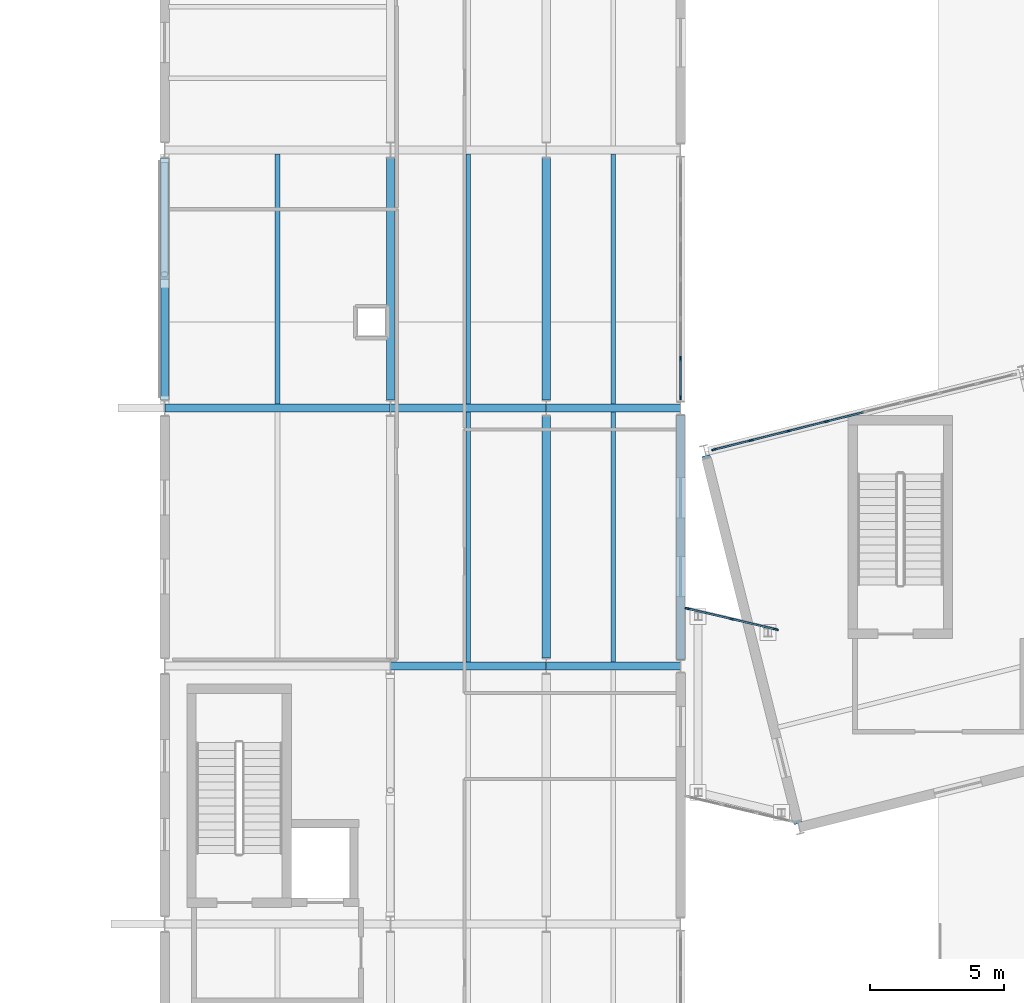
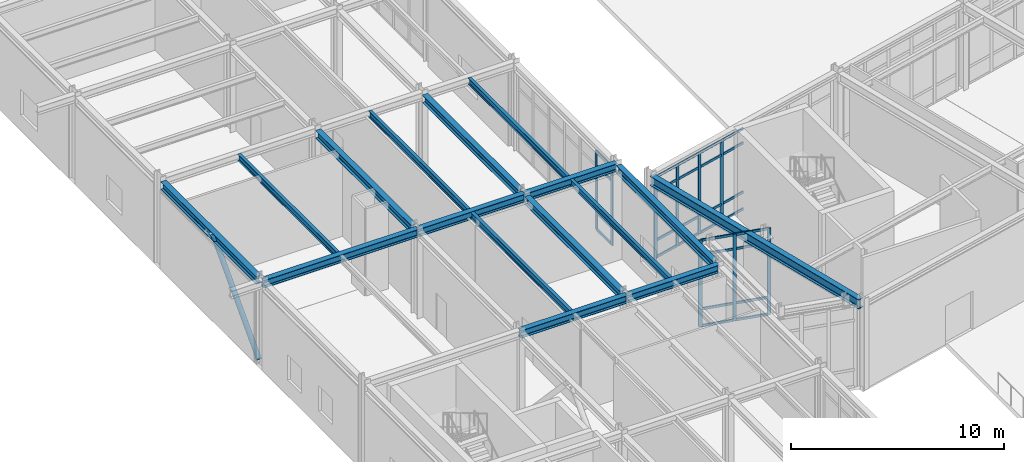
# One storey, part 24 of 109: 38 members, 16 beams, 3 elements without a shape of their own.
"""IFC4 building model written with IfcOpenShell, lengths in metres."""

import ifcopenshell
import ifcopenshell.guid

model = None  # the IFC model being written
_history = None  # IfcOwnerHistory: only IFC2X3 demands one
_inside = {}  # id of a spatial element -> (the spatial element, [elements in it])
_under = {}  # id of a project, library or spatial element -> (it, [spatial elements below it])
_declared = {}  # id of a project -> (the project, [libraries it declares])
_typed = {}  # id of a type object -> (the type object, [elements of that type])
_made_of = {}  # id of a material, layer set ... -> (it, [elements and type objects made of it])


def new_model(schema):
    """Start an empty IFC model of exactly this schema.

    Asked for "IFC4X3", IfcOpenShell would pick the latest addendum, in which some entities
    have other attributes; the version numbers below select the first issue.
    IFC2X3 requires an IfcOwnerHistory on every rooted entity: one is made here for all.
    """
    global model, _history
    if schema == "IFC4X3":
        model = ifcopenshell.file(schema_version=(4, 3, 0, 0))
    else:
        model = ifcopenshell.file(schema=schema)
    _inside.clear()
    _under.clear()
    _declared.clear()
    _typed.clear()
    _made_of.clear()
    _history = None
    if model.schema == "IFC2X3":
        org = make("IfcOrganization", Name="unknown")
        user = make(
            "IfcPersonAndOrganization",
            ThePerson=make("IfcPerson", FamilyName="unknown"),
            TheOrganization=org,
        )
        app = make(
            "IfcApplication",
            ApplicationDeveloper=org,
            Version="unknown",
            ApplicationFullName="unknown",
            ApplicationIdentifier="unknown",
        )
        _history = make(
            "IfcOwnerHistory",
            OwningUser=user,
            OwningApplication=app,
            ChangeAction="ADDED",
            CreationDate=0,
        )
    return model


def make(cls, **values):
    """One entity of the class cls with the attributes given. An attribute that is None is left unset."""
    return model.create_entity(
        cls, **{name: value for name, value in values.items() if value is not None}
    )


def rooted(cls, **values):
    """An entity with a GlobalId (a new one), such as an element, a storey or a relation."""
    return make(cls, GlobalId=ifcopenshell.guid.new(), OwnerHistory=_history, **values)


def si_unit(unit_type, name, prefix=None):
    """IfcSIUnit, for example si_unit("LENGTHUNIT", "METRE", prefix="MILLI")."""
    return make("IfcSIUnit", UnitType=unit_type, Prefix=prefix, Name=name)


def assignment(units):
    """IfcUnitAssignment: the units of a project."""
    return None if units is None else make("IfcUnitAssignment", Units=units)


def point(xyz):
    """IfcCartesianPoint."""
    return None if xyz is None else make("IfcCartesianPoint", Coordinates=xyz)


def direction(xyz):
    """IfcDirection."""
    return None if xyz is None else make("IfcDirection", DirectionRatios=xyz)


def frame(location, z_axis=None, x_axis=None):
    """IfcAxis2Placement3D, a coordinate frame: its origin and axes. An axis left out is left unset."""
    return make(
        "IfcAxis2Placement3D",
        Location=point(location),
        Axis=direction(z_axis),
        RefDirection=direction(x_axis),
    )


def frame_2d(location, x_axis=None):
    """IfcAxis2Placement2D, a coordinate frame in the plane: its origin and x axis."""
    return make(
        "IfcAxis2Placement2D", Location=point(location), RefDirection=direction(x_axis)
    )


def origin():
    """The frame at (0, 0, 0) with its axes left unset."""
    return frame((0.0, 0.0, 0.0))


def origin_2d():
    """The frame at (0, 0) in the plane with its x axis left unset."""
    return frame_2d((0.0, 0.0))


def place(relative_to, where):
    """IfcLocalPlacement: puts the frame where relative to a parent placement (None: the world)."""
    return make(
        "IfcLocalPlacement", PlacementRelTo=relative_to, RelativePlacement=where
    )


def context(
    kind, dimensions, precision=None, world=None, true_north=None, identifier=None
):
    """IfcGeometricRepresentationContext, for example the 3D "Model" context."""
    return make(
        "IfcGeometricRepresentationContext",
        ContextIdentifier=identifier,
        ContextType=kind,
        CoordinateSpaceDimension=dimensions,
        Precision=precision,
        WorldCoordinateSystem=world,
        TrueNorth=true_north,
    )


def subcontext(parent, identifier, kind, view, scale=None):
    """IfcGeometricRepresentationSubContext, for example "Body" below "Model"."""
    return make(
        "IfcGeometricRepresentationSubContext",
        ContextIdentifier=identifier,
        ContextType=kind,
        ParentContext=parent,
        TargetScale=scale,
        TargetView=view,
    )


def project(units=None, contexts=None):
    """IfcProject with its units and contexts."""
    return rooted(
        "IfcProject",
        Name="project",
        RepresentationContexts=contexts,
        UnitsInContext=assignment(units),
    )


def spatial(cls, under=None, at=None, **own):
    """A site, building, storey or space (cls), placed at a placement, below another one or the project."""
    s = rooted(cls, ObjectPlacement=at, **own)
    if under is not None:
        _under.setdefault(under.id(), (under, []))[1].append(s)
    return s


def profile(cls, at=None, kind="AREA", **sizes):
    """A parametric profile (cls). Its sizes go by their IFC names, for example OverallWidth=200.0."""
    return make(cls, ProfileType=kind, Position=at, **sizes)


def rectangle(**sizes):
    """IfcRectangleProfileDef."""
    return profile("IfcRectangleProfileDef", **sizes)


def hollow_circle(**sizes):
    """IfcCircleHollowProfileDef."""
    return profile("IfcCircleHollowProfileDef", **sizes)


def i_section(**sizes):
    """IfcIShapeProfileDef."""
    return profile("IfcIShapeProfileDef", **sizes)


def extrude(swept, where, along, depth):
    """IfcExtrudedAreaSolid: the profile swept, set in the frame where, extruded along a direction by depth."""
    return make(
        "IfcExtrudedAreaSolid",
        SweptArea=swept,
        Position=where,
        ExtrudedDirection=direction(along),
        Depth=depth,
    )


def shape(context_of_items, identifier, shape_type, items):
    """IfcShapeRepresentation: the items that make up one representation, for example the "Body"."""
    return make(
        "IfcShapeRepresentation",
        ContextOfItems=context_of_items,
        RepresentationIdentifier=identifier,
        RepresentationType=shape_type,
        Items=items,
    )


def material(Name=None, Category=None):
    """IfcMaterial."""
    return make("IfcMaterial", Name=Name, Category=Category)


def layer(
    of_material, thickness, ventilated=None, Name=None, Category=None, Priority=None
):
    """IfcMaterialLayer: one layer of a wall or slab, of a material (None: an air gap)."""
    return make(
        "IfcMaterialLayer",
        Material=of_material,
        LayerThickness=thickness,
        IsVentilated=ventilated,
        Name=Name,
        Category=Category,
        Priority=Priority,
    )


def layer_set(layers, Name=None):
    """IfcMaterialLayerSet."""
    return make("IfcMaterialLayerSet", MaterialLayers=layers, LayerSetName=Name)


def material_profile(
    of_material, cross_section, Name=None, Category=None, Priority=None
):
    """IfcMaterialProfile: a cross section and its material."""
    return make(
        "IfcMaterialProfile",
        Name=Name,
        Material=of_material,
        Profile=cross_section,
        Priority=Priority,
        Category=Category,
    )


def profile_set(profiles, Name=None, composite=None):
    """IfcMaterialProfileSet."""
    return make(
        "IfcMaterialProfileSet",
        Name=Name,
        MaterialProfiles=profiles,
        CompositeProfile=composite,
    )


def made_of(thing, what):
    """Note that an element or type object is made of a material, layer set ...; save() writes the relation."""
    if what is not None:
        _made_of.setdefault(what.id(), (what, []))[1].append(thing)
    return thing


def type_object(cls, material=None, **own):
    """A type object (cls), such as IfcWallType, which elements share."""
    return made_of(rooted(cls, **own), material)


def element(
    cls,
    number,
    at=None,
    inside=None,
    cuts=None,
    type_object=None,
    material=None,
    context=None,
    identifier="Body",
    shape_type=None,
    held_by="IfcProductDefinitionShape",
    body=None,
    shapes=None,
    **own,
):
    """One element of the class cls, such as IfcWall. Its Tag is "e" and its number.

    at: its placement. inside: the storey or other place that contains it. cuts: it is an
    opening in that element (IfcRelVoidsElement). A single representation is given by context,
    identifier, shape_type and body (its items); several are given by shapes. held_by: the class
    of the entity that holds the representations. save() writes the other relations.
    """
    e = rooted(cls, Tag="e%d" % number, ObjectPlacement=at, **own)
    if body is not None:
        shapes = [shape(context, identifier, shape_type, body)]
    if shapes is not None:
        e.Representation = make(held_by, Representations=shapes)
    if inside is not None:
        _inside.setdefault(inside.id(), (inside, []))[1].append(e)
    if cuts is not None:
        rooted(
            "IfcRelVoidsElement", RelatingBuildingElement=cuts, RelatedOpeningElement=e
        )
    if type_object is not None:
        _typed.setdefault(type_object.id(), (type_object, []))[1].append(e)
    return made_of(e, material)


def aggregate(whole, parts):
    """IfcRelAggregates: a whole, such as a stair, and the parts it consists of."""
    return rooted("IfcRelAggregates", RelatingObject=whole, RelatedObjects=parts)


def save(model, path):
    """Write the relations noted so far, then the file.

    IfcRelAggregates (storeys below a building ...), IfcRelContainedInSpatialStructure (elements
    in a storey), IfcRelDefinesByType, IfcRelAssociatesMaterial and IfcRelDeclares: one each for
    every whole, place, type object, material and project.
    """
    for whole, parts in _under.values():
        aggregate(whole, parts)
    for where, things in _inside.values():
        rooted(
            "IfcRelContainedInSpatialStructure",
            RelatedElements=things,
            RelatingStructure=where,
        )
    for kind, things in _typed.values():
        rooted("IfcRelDefinesByType", RelatedObjects=things, RelatingType=kind)
    for what, things in _made_of.values():
        rooted("IfcRelAssociatesMaterial", RelatedObjects=things, RelatingMaterial=what)
    for by, libraries in _declared.values():
        rooted("IfcRelDeclares", RelatingContext=by, RelatedDefinitions=libraries)
    model.write(path)


model = new_model("IFC4")

# Units and contexts
model_context = context("Model", 3, precision=1e-05, world=origin(), true_north=direction((0.0, 1.0)))
body_context = subcontext(model_context, "Body", "Model", "MODEL_VIEW")
ifc_project = project(units=[si_unit("LENGTHUNIT", "METRE"), si_unit("AREAUNIT", "SQUARE_METRE"), si_unit("VOLUMEUNIT", "CUBIC_METRE"), si_unit("PLANEANGLEUNIT", "RADIAN"), si_unit("MASSUNIT", "GRAM", prefix="KILO")], contexts=[model_context])

# Site, building, storey
site_placement = place(None, origin())
site = spatial("IfcSite", under=ifc_project, at=site_placement, CompositionType="ELEMENT")
building_placement = place(site_placement, origin())
building = spatial("IfcBuilding", under=site, at=building_placement, Name="Nordkorset Police Headquarters", CompositionType="ELEMENT")
storey_placement = place(building_placement, origin())
storey = spatial("IfcBuildingStorey", under=building, at=storey_placement, Name="L00", CompositionType="ELEMENT", Elevation=0.0)

# Beams
ifc_material_1 = material(Name="Steel S355J2", Category="steel")
ifc_material_profile_1 = material_profile(ifc_material_1, i_section(OverallWidth=0.169921875, OverallDepth=0.360107421875, WebThickness=0.008056640625, FlangeThickness=0.0126953125, FilletRadius=0.01806640625, at=origin_2d()), Name="IPE 360")
ifc_profile_set_1 = profile_set([ifc_material_profile_1], Name="Steel S355J2")
beam_type_1 = type_object("IfcBeamType", Name="Beam_IPE_360", PredefinedType="BEAM", material=ifc_profile_set_1)
for number, where, z_axis, x_axis, name in (
    (1, (4.199951171875, 57.75, 4.820068359375), (0.0, 1.0, 0.0), (-1.0, 0.0, 0.0), "Composite Floor Beam V3 L00 0-3-1"),
    (2, (11.300048828125, 48.14990234375, 4.820068359375), (0.0, 1.0, 0.0), (-1.0, 0.0, 0.0), "Composite Floor Beam V3 L00 1-2-1"),
    (3, (11.300048828125, 57.75, 4.820068359375), (0.0, 1.0, 0.0), (-1.0, 0.0, 0.0), "Composite Floor Beam V3 L00 1-3-1"),
    (4, (16.699951171875, 48.14990234375, 4.820068359375), (0.0, 1.0, 0.0), (-1.0, 0.0, 0.0), "Composite Floor Beam V3 L00 2-2-1"),
    (5, (16.699951171875, 57.75, 4.820068359375), (0.0, 1.0, 0.0), (-1.0, 0.0, 0.0), "Composite Floor Beam V3 L00 2-3-1"),
):
    element("IfcBeam", number, at=place(storey_placement, frame(where, z_axis=z_axis, x_axis=x_axis)), inside=storey, type_object=beam_type_1, Name=name, PredefinedType="BEAM", context=body_context, shape_type="SweptSolid", body=[
        extrude(i_section(OverallWidth=0.169921875, OverallDepth=0.360107421875, WebThickness=0.008056640625, FlangeThickness=0.0126953125, FilletRadius=0.01806640625, at=origin_2d()), origin(), (0.0, 0.0, 1.0), 9.300048828125),
    ])

# Member
ifc_material_2 = material(Name="Steel S355J2", Category="steel")
ifc_material_profile_2 = material_profile(ifc_material_2, hollow_circle(Radius=0.136474609375, WallThickness=0.012451171875, at=origin_2d()), Name="CHS 273x12.5")
ifc_profile_set_2 = profile_set([ifc_material_profile_2], Name="Steel S355J2")
member_type_1 = type_object("IfcMemberType", Name="Brace_CHS_273x12.5", PredefinedType="BRACE", material=ifc_profile_set_2)
member_1_placement = place(storey_placement, frame((0.0, 57.89990234375, 0.199951171875), z_axis=(0.0, 0.686156550894, 0.727453907588), x_axis=(-1.0, 0.0, 0.0)))
element("IfcMember", 6, at=member_1_placement, inside=storey, type_object=member_type_1, Name="Lateral Chevron Brace BF-EXT-V3W L00 D1", PredefinedType="BRACE", context=body_context, shape_type="SweptSolid", body=[
    extrude(hollow_circle(Radius=0.136474609375, WallThickness=0.012451171875, at=origin_2d()), origin(), (0.0, 0.0, 1.0), 6.296142578125),
])

# Curtain wall, members
ifc_material_3 = material(Name="Aluminium alloy AW-6060", Category="aluminium")
ifc_layer_1 = layer(ifc_material_3, 0.179931640625, Name="Aluminium alloy AW-6060")
ifc_layer_set_1 = layer_set([ifc_layer_1], Name="Aluminium alloy AW-6060")
curtain_wall_type_1 = type_object("IfcCurtainWallType", Name="CW_Unit_888x454", PredefinedType="USERDEFINED", material=ifc_layer_set_1)
curtain_wall_1_placement = place(storey_placement, origin())
curtain_wall_1 = element("IfcCurtainWall", 7, at=curtain_wall_1_placement, inside=storey, type_object=curtain_wall_type_1, Name="Unitised Curtain Wall L00 V3E-3", ObjectType="UNITISED CURTAIN WALL", PredefinedType="USERDEFINED")
ifc_material_4 = material(Name="Aluminium alloy AW-6060", Category="aluminium")
ifc_material_profile_3 = material_profile(ifc_material_4, rectangle(XDim=0.06494140625, YDim=0.179931640625, at=origin_2d()), Name="ALU MULL 65x180")
ifc_profile_set_3 = profile_set([ifc_material_profile_3], Name="Aluminium alloy AW-6060")
member_type_2 = type_object("IfcMemberType", Name="CW_Mullion_65x180", PredefinedType="MULLION", material=ifc_profile_set_3)
member_2_placement = place(storey_placement, frame((19.199951171875, 57.992431640625, 0.0), z_axis=(0.0, 0.0, 1.0), x_axis=(-1.0, 0.0, 0.0)))
member_2 = element("IfcMember", 8, at=member_2_placement, type_object=member_type_2, Name="CW-82 mullion 1", PredefinedType="MULLION", context=body_context, shape_type="SweptSolid", body=[
    extrude(rectangle(XDim=0.06494140625, YDim=0.179931640625, at=origin_2d()), origin(), (0.0, 0.0, 1.0), 4.5400390625),
])
member_3_placement = place(storey_placement, frame((19.199951171875, 59.43994140625, 0.0), z_axis=(0.0, 0.0, 1.0), x_axis=(-1.0, 0.0, 0.0)))
member_3 = element("IfcMember", 9, at=member_3_placement, type_object=member_type_2, Name="CW-82 mullion 2", PredefinedType="MULLION", context=body_context, shape_type="SweptSolid", body=[
    extrude(rectangle(XDim=0.06494140625, YDim=0.179931640625, at=origin_2d()), origin(), (0.0, 0.0, 1.0), 4.5400390625),
])

ifc_material_5 = material(Name="Aluminium alloy AW-6060", Category="aluminium")
ifc_layer_2 = layer(ifc_material_5, 0.179931640625, Name="Aluminium alloy AW-6060")
ifc_layer_set_2 = layer_set([ifc_layer_2], Name="Aluminium alloy AW-6060")
curtain_wall_type_2 = type_object("IfcCurtainWallType", Name="CW_Unit_1156x467", PredefinedType="USERDEFINED", material=ifc_layer_set_2)
curtain_wall_2_placement = place(storey_placement, origin())
curtain_wall_2 = element("IfcCurtainWall", 10, at=curtain_wall_2_placement, inside=storey, type_object=curtain_wall_type_2, Name="Unitised Curtain Wall L00 V4N-0", ObjectType="UNITISED CURTAIN WALL", PredefinedType="USERDEFINED")
member_4_placement = place(storey_placement, frame((20.449462890625, 56.0556640625, 0.0), z_axis=(0.0, 0.0, 1.0), x_axis=(-0.242536235663, 0.970142347489, 0.0)))
member_4 = element("IfcMember", 11, at=member_4_placement, type_object=member_type_2, Name="CW-93 mullion 1", PredefinedType="MULLION", context=body_context, shape_type="SweptSolid", body=[
    extrude(rectangle(XDim=0.06494140625, YDim=0.179931640625, at=origin_2d()), origin(), (0.0, 0.0, 1.0), 4.669921875),
])
member_5_placement = place(storey_placement, frame((21.81982421875, 56.398193359375, 0.0), z_axis=(0.0, 0.0, 1.0), x_axis=(-0.242536235663, 0.970142347489, 0.0)))
member_5 = element("IfcMember", 12, at=member_5_placement, type_object=member_type_2, Name="CW-93 mullion 2", PredefinedType="MULLION", context=body_context, shape_type="SweptSolid", body=[
    extrude(rectangle(XDim=0.06494140625, YDim=0.179931640625, at=origin_2d()), origin(), (0.0, 0.0, 1.0), 4.669921875),
])
member_6_placement = place(storey_placement, frame((23.2216796875, 56.74853515625, 0.0), z_axis=(0.0, 0.0, 1.0), x_axis=(-0.242536235663, 0.970142347489, 0.0)))
member_6 = element("IfcMember", 13, at=member_6_placement, type_object=member_type_2, Name="CW-93 mullion 3", PredefinedType="MULLION", context=body_context, shape_type="SweptSolid", body=[
    extrude(rectangle(XDim=0.06494140625, YDim=0.179931640625, at=origin_2d()), origin(), (0.0, 0.0, 1.0), 4.669921875),
])
member_7_placement = place(storey_placement, frame((24.62353515625, 57.09912109375, 0.0), z_axis=(0.0, 0.0, 1.0), x_axis=(-0.242536235663, 0.970142347489, 0.0)))
member_7 = element("IfcMember", 14, at=member_7_placement, type_object=member_type_2, Name="CW-93 mullion 4", PredefinedType="MULLION", context=body_context, shape_type="SweptSolid", body=[
    extrude(rectangle(XDim=0.06494140625, YDim=0.179931640625, at=origin_2d()), origin(), (0.0, 0.0, 1.0), 4.669921875),
])

ifc_material_6 = material(Name="Aluminium alloy AW-6060", Category="aluminium")
ifc_layer_3 = layer(ifc_material_6, 0.179931640625, Name="Aluminium alloy AW-6060")
ifc_layer_set_3 = layer_set([ifc_layer_3], Name="Aluminium alloy AW-6060")
curtain_wall_type_3 = type_object("IfcCurtainWallType", Name="CW_Unit_344x497", PredefinedType="USERDEFINED", material=ifc_layer_set_3)
curtain_wall_3_placement = place(storey_placement, origin())
curtain_wall_3 = element("IfcCurtainWall", 15, at=curtain_wall_3_placement, inside=storey, type_object=curtain_wall_type_3, Name="Unitised Curtain Wall L00 BRGW-N", ObjectType="UNITISED CURTAIN WALL", PredefinedType="USERDEFINED")
member_8_placement = place(storey_placement, frame((19.456787109375, 50.141357421875, 0.0), z_axis=(0.0, 0.0, 1.0), x_axis=(0.228892896387, 0.973451612554, 0.0)))
member_8 = element("IfcMember", 16, at=member_8_placement, type_object=member_type_2, Name="CW-66 mullion 1", PredefinedType="MULLION", context=body_context, shape_type="SweptSolid", body=[
    extrude(rectangle(XDim=0.06494140625, YDim=0.179931640625, at=origin_2d()), origin(), (0.0, 0.0, 1.0), 4.969970703125),
])
member_9_placement = place(storey_placement, frame((21.10009765625, 49.7548828125, 0.0), z_axis=(0.0, 0.0, 1.0), x_axis=(0.228892896387, 0.973451612554, 0.0)))
member_9 = element("IfcMember", 17, at=member_9_placement, type_object=member_type_2, Name="CW-66 mullion 2", PredefinedType="MULLION", context=body_context, shape_type="SweptSolid", body=[
    extrude(rectangle(XDim=0.06494140625, YDim=0.179931640625, at=origin_2d()), origin(), (0.0, 0.0, 1.0), 4.969970703125),
])
member_10_placement = place(storey_placement, frame((22.7431640625, 49.36865234375, 0.0), z_axis=(0.0, 0.0, 1.0), x_axis=(0.228892896387, 0.973451612554, 0.0)))
member_10 = element("IfcMember", 18, at=member_10_placement, type_object=member_type_2, Name="CW-66 mullion 3", PredefinedType="MULLION", context=body_context, shape_type="SweptSolid", body=[
    extrude(rectangle(XDim=0.06494140625, YDim=0.179931640625, at=origin_2d()), origin(), (0.0, 0.0, 1.0), 4.969970703125),
])

# Member
ifc_material_7 = material(Name="Aluminium alloy AW-6060", Category="aluminium")
ifc_material_profile_4 = material_profile(ifc_material_7, rectangle(XDim=0.06494140625, YDim=0.139892578125, at=origin_2d()), Name="ALU TRAN 65x140")
ifc_profile_set_4 = profile_set([ifc_material_profile_4], Name="Aluminium alloy AW-6060")
member_type_3 = type_object("IfcMemberType", Name="CW_Transom_65x140", PredefinedType="USERDEFINED", material=ifc_profile_set_4)
member_11_placement = place(storey_placement, frame((19.199951171875, 58.02490234375, 0.032470703125), z_axis=(0.0, 1.0, 0.0), x_axis=(-1.0, 0.0, 0.0)))
member_11 = element("IfcMember", 19, at=member_11_placement, type_object=member_type_3, Name="CW-82 transom 1.1", ObjectType="TRANSOM", PredefinedType="USERDEFINED", context=body_context, shape_type="SweptSolid", body=[
    extrude(rectangle(XDim=0.06494140625, YDim=0.139892578125, at=origin_2d()), origin(), (0.0, 0.0, 1.0), 1.382568359375),
])

member_12_placement = place(storey_placement, frame((19.199951171875, 58.02490234375, 1.0), z_axis=(0.0, 1.0, 0.0), x_axis=(-1.0, 0.0, 0.0)))
member_12 = element("IfcMember", 20, at=member_12_placement, type_object=member_type_3, Name="CW-82 transom 1.2", ObjectType="TRANSOM", PredefinedType="USERDEFINED", context=body_context, shape_type="SweptSolid", body=[
    extrude(rectangle(XDim=0.06494140625, YDim=0.139892578125, at=origin_2d()), origin(), (0.0, 0.0, 1.0), 1.382568359375),
])

member_13_placement = place(storey_placement, frame((19.199951171875, 58.02490234375, 3.68994140625), z_axis=(0.0, 1.0, 0.0), x_axis=(-1.0, 0.0, 0.0)))
member_13 = element("IfcMember", 21, at=member_13_placement, type_object=member_type_3, Name="CW-82 transom 1.3", ObjectType="TRANSOM", PredefinedType="USERDEFINED", context=body_context, shape_type="SweptSolid", body=[
    extrude(rectangle(XDim=0.06494140625, YDim=0.139892578125, at=origin_2d()), origin(), (0.0, 0.0, 1.0), 1.382568359375),
])

member_14_placement = place(storey_placement, frame((19.199951171875, 58.02490234375, 4.507568359375), z_axis=(0.0, 1.0, 0.0), x_axis=(-1.0, 0.0, 0.0)))
member_14 = element("IfcMember", 22, at=member_14_placement, type_object=member_type_3, Name="CW-82 transom 1.4", ObjectType="TRANSOM", PredefinedType="USERDEFINED", context=body_context, shape_type="SweptSolid", body=[
    extrude(rectangle(XDim=0.06494140625, YDim=0.139892578125, at=origin_2d()), origin(), (0.0, 0.0, 1.0), 1.382568359375),
])

aggregate(curtain_wall_1, [member_2, member_3, member_11, member_12, member_13, member_14])

member_15_placement = place(storey_placement, frame((20.48095703125, 56.0634765625, 0.032470703125), z_axis=(0.970174463193, 0.242407737022, 0.0), x_axis=(-0.242407737022, 0.970174463193, 0.0)))
member_15 = element("IfcMember", 23, at=member_15_placement, type_object=member_type_3, Name="CW-93 transom 1.1", ObjectType="TRANSOM", PredefinedType="USERDEFINED", context=body_context, shape_type="SweptSolid", body=[
    extrude(rectangle(XDim=0.06494140625, YDim=0.139892578125, at=origin_2d()), origin(), (0.0, 0.0, 1.0), 1.34765625),
])

member_16_placement = place(storey_placement, frame((20.48095703125, 56.0634765625, 1.0), z_axis=(0.970174463193, 0.242407737022, 0.0), x_axis=(-0.242407737022, 0.970174463193, 0.0)))
member_16 = element("IfcMember", 24, at=member_16_placement, type_object=member_type_3, Name="CW-93 transom 1.2", ObjectType="TRANSOM", PredefinedType="USERDEFINED", context=body_context, shape_type="SweptSolid", body=[
    extrude(rectangle(XDim=0.06494140625, YDim=0.139892578125, at=origin_2d()), origin(), (0.0, 0.0, 1.0), 1.34765625),
])

member_17_placement = place(storey_placement, frame((20.48095703125, 56.0634765625, 3.820068359375), z_axis=(0.970174463193, 0.242407737022, 0.0), x_axis=(-0.242407737022, 0.970174463193, 0.0)))
member_17 = element("IfcMember", 25, at=member_17_placement, type_object=member_type_3, Name="CW-93 transom 1.3", ObjectType="TRANSOM", PredefinedType="USERDEFINED", context=body_context, shape_type="SweptSolid", body=[
    extrude(rectangle(XDim=0.06494140625, YDim=0.139892578125, at=origin_2d()), origin(), (0.0, 0.0, 1.0), 1.34765625),
])

member_18_placement = place(storey_placement, frame((20.48095703125, 56.0634765625, 4.637451171875), z_axis=(0.970174463193, 0.242407737022, 0.0), x_axis=(-0.242407737022, 0.970174463193, 0.0)))
member_18 = element("IfcMember", 26, at=member_18_placement, type_object=member_type_3, Name="CW-93 transom 1.4", ObjectType="TRANSOM", PredefinedType="USERDEFINED", context=body_context, shape_type="SweptSolid", body=[
    extrude(rectangle(XDim=0.06494140625, YDim=0.139892578125, at=origin_2d()), origin(), (0.0, 0.0, 1.0), 1.34765625),
])

member_19_placement = place(storey_placement, frame((21.851318359375, 56.406005859375, 0.032470703125), z_axis=(0.970142500145, 0.242535625036, 0.0), x_axis=(-0.242535625036, 0.970142500145, 0.0)))
member_19 = element("IfcMember", 27, at=member_19_placement, type_object=member_type_3, Name="CW-93 transom 2.1", ObjectType="TRANSOM", PredefinedType="USERDEFINED", context=body_context, shape_type="SweptSolid", body=[
    extrude(rectangle(XDim=0.06494140625, YDim=0.139892578125, at=origin_2d()), origin(), (0.0, 0.0, 1.0), 1.380126953125),
])

member_20_placement = place(storey_placement, frame((21.851318359375, 56.406005859375, 1.0), z_axis=(0.970142500145, 0.242535625036, 0.0), x_axis=(-0.242535625036, 0.970142500145, 0.0)))
member_20 = element("IfcMember", 28, at=member_20_placement, type_object=member_type_3, Name="CW-93 transom 2.2", ObjectType="TRANSOM", PredefinedType="USERDEFINED", context=body_context, shape_type="SweptSolid", body=[
    extrude(rectangle(XDim=0.06494140625, YDim=0.139892578125, at=origin_2d()), origin(), (0.0, 0.0, 1.0), 1.380126953125),
])

member_21_placement = place(storey_placement, frame((21.851318359375, 56.406005859375, 3.820068359375), z_axis=(0.970142500145, 0.242535625036, 0.0), x_axis=(-0.242535625036, 0.970142500145, 0.0)))
member_21 = element("IfcMember", 29, at=member_21_placement, type_object=member_type_3, Name="CW-93 transom 2.3", ObjectType="TRANSOM", PredefinedType="USERDEFINED", context=body_context, shape_type="SweptSolid", body=[
    extrude(rectangle(XDim=0.06494140625, YDim=0.139892578125, at=origin_2d()), origin(), (0.0, 0.0, 1.0), 1.380126953125),
])

member_22_placement = place(storey_placement, frame((21.851318359375, 56.406005859375, 4.637451171875), z_axis=(0.970142500145, 0.242535625036, 0.0), x_axis=(-0.242535625036, 0.970142500145, 0.0)))
member_22 = element("IfcMember", 30, at=member_22_placement, type_object=member_type_3, Name="CW-93 transom 2.4", ObjectType="TRANSOM", PredefinedType="USERDEFINED", context=body_context, shape_type="SweptSolid", body=[
    extrude(rectangle(XDim=0.06494140625, YDim=0.139892578125, at=origin_2d()), origin(), (0.0, 0.0, 1.0), 1.380126953125),
])

member_23_placement = place(storey_placement, frame((23.253173828125, 56.756591796875, 0.032470703125), z_axis=(0.970184112154, 0.242369116275, 0.0), x_axis=(-0.242369116275, 0.970184112154, 0.0)))
member_23 = element("IfcMember", 31, at=member_23_placement, type_object=member_type_3, Name="CW-93 transom 3.1", ObjectType="TRANSOM", PredefinedType="USERDEFINED", context=body_context, shape_type="SweptSolid", body=[
    extrude(rectangle(XDim=0.06494140625, YDim=0.139892578125, at=origin_2d()), origin(), (0.0, 0.0, 1.0), 1.380126953125),
])

member_24_placement = place(storey_placement, frame((23.253173828125, 56.756591796875, 1.0), z_axis=(0.970184112154, 0.242369116275, 0.0), x_axis=(-0.242369116275, 0.970184112154, 0.0)))
member_24 = element("IfcMember", 32, at=member_24_placement, type_object=member_type_3, Name="CW-93 transom 3.2", ObjectType="TRANSOM", PredefinedType="USERDEFINED", context=body_context, shape_type="SweptSolid", body=[
    extrude(rectangle(XDim=0.06494140625, YDim=0.139892578125, at=origin_2d()), origin(), (0.0, 0.0, 1.0), 1.380126953125),
])

member_25_placement = place(storey_placement, frame((23.253173828125, 56.756591796875, 3.820068359375), z_axis=(0.970184112154, 0.242369116275, 0.0), x_axis=(-0.242369116275, 0.970184112154, 0.0)))
member_25 = element("IfcMember", 33, at=member_25_placement, type_object=member_type_3, Name="CW-93 transom 3.3", ObjectType="TRANSOM", PredefinedType="USERDEFINED", context=body_context, shape_type="SweptSolid", body=[
    extrude(rectangle(XDim=0.06494140625, YDim=0.139892578125, at=origin_2d()), origin(), (0.0, 0.0, 1.0), 1.380126953125),
])

member_26_placement = place(storey_placement, frame((23.253173828125, 56.756591796875, 4.637451171875), z_axis=(0.970184112154, 0.242369116275, 0.0), x_axis=(-0.242369116275, 0.970184112154, 0.0)))
member_26 = element("IfcMember", 34, at=member_26_placement, type_object=member_type_3, Name="CW-93 transom 3.4", ObjectType="TRANSOM", PredefinedType="USERDEFINED", context=body_context, shape_type="SweptSolid", body=[
    extrude(rectangle(XDim=0.06494140625, YDim=0.139892578125, at=origin_2d()), origin(), (0.0, 0.0, 1.0), 1.380126953125),
])

member_27_placement = place(storey_placement, frame((24.655029296875, 57.10693359375, 0.032470703125), z_axis=(0.970142500145, 0.242535625036, 0.0), x_axis=(-0.242535625036, 0.970142500145, 0.0)))
member_27 = element("IfcMember", 35, at=member_27_placement, type_object=member_type_3, Name="CW-93 transom 4.1", ObjectType="TRANSOM", PredefinedType="USERDEFINED", context=body_context, shape_type="SweptSolid", body=[
    extrude(rectangle(XDim=0.06494140625, YDim=0.139892578125, at=origin_2d()), origin(), (0.0, 0.0, 1.0), 1.380126953125),
])

member_28_placement = place(storey_placement, frame((24.655029296875, 57.10693359375, 1.0), z_axis=(0.970142500145, 0.242535625036, 0.0), x_axis=(-0.242535625036, 0.970142500145, 0.0)))
member_28 = element("IfcMember", 36, at=member_28_placement, type_object=member_type_3, Name="CW-93 transom 4.2", ObjectType="TRANSOM", PredefinedType="USERDEFINED", context=body_context, shape_type="SweptSolid", body=[
    extrude(rectangle(XDim=0.06494140625, YDim=0.139892578125, at=origin_2d()), origin(), (0.0, 0.0, 1.0), 1.380126953125),
])

member_29_placement = place(storey_placement, frame((24.655029296875, 57.10693359375, 3.820068359375), z_axis=(0.970142500145, 0.242535625036, 0.0), x_axis=(-0.242535625036, 0.970142500145, 0.0)))
member_29 = element("IfcMember", 37, at=member_29_placement, type_object=member_type_3, Name="CW-93 transom 4.3", ObjectType="TRANSOM", PredefinedType="USERDEFINED", context=body_context, shape_type="SweptSolid", body=[
    extrude(rectangle(XDim=0.06494140625, YDim=0.139892578125, at=origin_2d()), origin(), (0.0, 0.0, 1.0), 1.380126953125),
])

member_30_placement = place(storey_placement, frame((24.655029296875, 57.10693359375, 4.637451171875), z_axis=(0.970142500145, 0.242535625036, 0.0), x_axis=(-0.242535625036, 0.970142500145, 0.0)))
member_30 = element("IfcMember", 38, at=member_30_placement, type_object=member_type_3, Name="CW-93 transom 4.4", ObjectType="TRANSOM", PredefinedType="USERDEFINED", context=body_context, shape_type="SweptSolid", body=[
    extrude(rectangle(XDim=0.06494140625, YDim=0.139892578125, at=origin_2d()), origin(), (0.0, 0.0, 1.0), 1.380126953125),
])

aggregate(curtain_wall_2, [member_4, member_5, member_6, member_7, member_15, member_16, member_17, member_18, member_19, member_20, member_21, member_22, member_23, member_24, member_25, member_26, member_27, member_28, member_29, member_30])

member_31_placement = place(storey_placement, frame((19.488525390625, 50.134033203125, 0.032470703125), z_axis=(0.973436893335, -0.228955486271, 0.0), x_axis=(0.228955486271, 0.973436893335, 0.0)))
member_31 = element("IfcMember", 39, at=member_31_placement, type_object=member_type_3, Name="CW-66 transom 1.1", ObjectType="TRANSOM", PredefinedType="USERDEFINED", context=body_context, shape_type="SweptSolid", body=[
    extrude(rectangle(XDim=0.06494140625, YDim=0.139892578125, at=origin_2d()), origin(), (0.0, 0.0, 1.0), 1.623046875),
])

member_32_placement = place(storey_placement, frame((19.488525390625, 50.134033203125, 1.0), z_axis=(0.973436893335, -0.228955486271, 0.0), x_axis=(0.228955486271, 0.973436893335, 0.0)))
member_32 = element("IfcMember", 40, at=member_32_placement, type_object=member_type_3, Name="CW-66 transom 1.2", ObjectType="TRANSOM", PredefinedType="USERDEFINED", context=body_context, shape_type="SweptSolid", body=[
    extrude(rectangle(XDim=0.06494140625, YDim=0.139892578125, at=origin_2d()), origin(), (0.0, 0.0, 1.0), 1.623046875),
])

member_33_placement = place(storey_placement, frame((19.488525390625, 50.134033203125, 4.1201171875), z_axis=(0.973436893335, -0.228955486271, 0.0), x_axis=(0.228955486271, 0.973436893335, 0.0)))
member_33 = element("IfcMember", 41, at=member_33_placement, type_object=member_type_3, Name="CW-66 transom 1.3", ObjectType="TRANSOM", PredefinedType="USERDEFINED", context=body_context, shape_type="SweptSolid", body=[
    extrude(rectangle(XDim=0.06494140625, YDim=0.139892578125, at=origin_2d()), origin(), (0.0, 0.0, 1.0), 1.623046875),
])

member_34_placement = place(storey_placement, frame((19.488525390625, 50.134033203125, 4.9375), z_axis=(0.973436893335, -0.228955486271, 0.0), x_axis=(0.228955486271, 0.973436893335, 0.0)))
member_34 = element("IfcMember", 42, at=member_34_placement, type_object=member_type_3, Name="CW-66 transom 1.4", ObjectType="TRANSOM", PredefinedType="USERDEFINED", context=body_context, shape_type="SweptSolid", body=[
    extrude(rectangle(XDim=0.06494140625, YDim=0.139892578125, at=origin_2d()), origin(), (0.0, 0.0, 1.0), 1.623046875),
])

member_35_placement = place(storey_placement, frame((21.131591796875, 49.74755859375, 0.032470703125), z_axis=(0.973436893335, -0.228955486271, 0.0), x_axis=(0.228955486271, 0.973436893335, 0.0)))
member_35 = element("IfcMember", 43, at=member_35_placement, type_object=member_type_3, Name="CW-66 transom 2.1", ObjectType="TRANSOM", PredefinedType="USERDEFINED", context=body_context, shape_type="SweptSolid", body=[
    extrude(rectangle(XDim=0.06494140625, YDim=0.139892578125, at=origin_2d()), origin(), (0.0, 0.0, 1.0), 1.623046875),
])

member_36_placement = place(storey_placement, frame((21.131591796875, 49.74755859375, 1.0), z_axis=(0.973436893335, -0.228955486271, 0.0), x_axis=(0.228955486271, 0.973436893335, 0.0)))
member_36 = element("IfcMember", 44, at=member_36_placement, type_object=member_type_3, Name="CW-66 transom 2.2", ObjectType="TRANSOM", PredefinedType="USERDEFINED", context=body_context, shape_type="SweptSolid", body=[
    extrude(rectangle(XDim=0.06494140625, YDim=0.139892578125, at=origin_2d()), origin(), (0.0, 0.0, 1.0), 1.623046875),
])

member_37_placement = place(storey_placement, frame((21.131591796875, 49.74755859375, 4.1201171875), z_axis=(0.973436893335, -0.228955486271, 0.0), x_axis=(0.228955486271, 0.973436893335, 0.0)))
member_37 = element("IfcMember", 45, at=member_37_placement, type_object=member_type_3, Name="CW-66 transom 2.3", ObjectType="TRANSOM", PredefinedType="USERDEFINED", context=body_context, shape_type="SweptSolid", body=[
    extrude(rectangle(XDim=0.06494140625, YDim=0.139892578125, at=origin_2d()), origin(), (0.0, 0.0, 1.0), 1.623046875),
])

member_38_placement = place(storey_placement, frame((21.131591796875, 49.74755859375, 4.9375), z_axis=(0.973436893335, -0.228955486271, 0.0), x_axis=(0.228955486271, 0.973436893335, 0.0)))
member_38 = element("IfcMember", 46, at=member_38_placement, type_object=member_type_3, Name="CW-66 transom 2.4", ObjectType="TRANSOM", PredefinedType="USERDEFINED", context=body_context, shape_type="SweptSolid", body=[
    extrude(rectangle(XDim=0.06494140625, YDim=0.139892578125, at=origin_2d()), origin(), (0.0, 0.0, 1.0), 1.623046875),
])

aggregate(curtain_wall_3, [member_8, member_9, member_10, member_31, member_32, member_33, member_34, member_35, member_36, member_37, member_38])

# Beams
ifc_material_8 = material(Name="Steel S355J2", Category="steel")
ifc_material_profile_5 = material_profile(ifc_material_8, i_section(OverallWidth=0.300048828125, OverallDepth=0.43994140625, WebThickness=0.011474609375, FlangeThickness=0.02099609375, FilletRadius=0.027099609375, at=origin_2d()), Name="HEA 450")
ifc_profile_set_5 = profile_set([ifc_material_profile_5], Name="Steel S355J2")
beam_type_2 = type_object("IfcBeamType", Name="Girder_HEA_450", PredefinedType="USERDEFINED", material=ifc_profile_set_5)
beam_1_placement = place(storey_placement, frame((8.40771484375, 48.0, 4.780029296875), z_axis=(1.0, 0.0, 0.0), x_axis=(0.0, 1.0, 0.0)))
element("IfcBeam", 47, at=beam_1_placement, inside=storey, type_object=beam_type_2, Name="Girder V3 L00 GX-2-1", ObjectType="GIRDER", PredefinedType="USERDEFINED", context=body_context, shape_type="SweptSolid", body=[
    extrude(i_section(OverallWidth=0.300048828125, OverallDepth=0.43994140625, WebThickness=0.011474609375, FlangeThickness=0.02099609375, FilletRadius=0.027099609375, at=origin_2d()), origin(), (0.0, 0.0, 1.0), 5.78466796875),
])
beam_2_placement = place(storey_placement, frame((14.207763671875, 48.0, 4.780029296875), z_axis=(1.0, 0.0, 0.0), x_axis=(0.0, 1.0, 0.0)))
element("IfcBeam", 48, at=beam_2_placement, inside=storey, type_object=beam_type_2, Name="Girder V3 L00 GX-2-2", ObjectType="GIRDER", PredefinedType="USERDEFINED", context=body_context, shape_type="SweptSolid", body=[
    extrude(i_section(OverallWidth=0.300048828125, OverallDepth=0.43994140625, WebThickness=0.011474609375, FlangeThickness=0.02099609375, FilletRadius=0.027099609375, at=origin_2d()), origin(), (0.0, 0.0, 1.0), 4.98486328125),
])
beam_3_placement = place(storey_placement, frame((0.0078125, 57.60009765625, 4.780029296875), z_axis=(1.0, 0.0, 0.0), x_axis=(0.0, 1.0, 0.0)))
element("IfcBeam", 49, at=beam_3_placement, inside=storey, type_object=beam_type_2, Name="Girder V3 L00 GX-3-0", ObjectType="GIRDER", PredefinedType="USERDEFINED", context=body_context, shape_type="SweptSolid", body=[
    extrude(i_section(OverallWidth=0.300048828125, OverallDepth=0.43994140625, WebThickness=0.011474609375, FlangeThickness=0.02099609375, FilletRadius=0.027099609375, at=origin_2d()), origin(), (0.0, 0.0, 1.0), 8.384521484375),
])
beam_4_placement = place(storey_placement, frame((8.40771484375, 57.60009765625, 4.780029296875), z_axis=(1.0, 0.0, 0.0), x_axis=(0.0, 1.0, 0.0)))
element("IfcBeam", 50, at=beam_4_placement, inside=storey, type_object=beam_type_2, Name="Girder V3 L00 GX-3-1", ObjectType="GIRDER", PredefinedType="USERDEFINED", context=body_context, shape_type="SweptSolid", body=[
    extrude(i_section(OverallWidth=0.300048828125, OverallDepth=0.43994140625, WebThickness=0.011474609375, FlangeThickness=0.02099609375, FilletRadius=0.027099609375, at=origin_2d()), origin(), (0.0, 0.0, 1.0), 5.78466796875),
])
beam_5_placement = place(storey_placement, frame((14.207763671875, 57.60009765625, 4.780029296875), z_axis=(1.0, 0.0, 0.0), x_axis=(0.0, 1.0, 0.0)))
element("IfcBeam", 51, at=beam_5_placement, inside=storey, type_object=beam_type_2, Name="Girder V3 L00 GX-3-2", ObjectType="GIRDER", PredefinedType="USERDEFINED", context=body_context, shape_type="SweptSolid", body=[
    extrude(i_section(OverallWidth=0.300048828125, OverallDepth=0.43994140625, WebThickness=0.011474609375, FlangeThickness=0.02099609375, FilletRadius=0.027099609375, at=origin_2d()), origin(), (0.0, 0.0, 1.0), 4.98486328125),
])
for number, where, z_axis, x_axis, name in (
    (52, (0.0, 57.89990234375, 4.780029296875), (0.0, 1.0, 0.0), (-1.0, 0.0, 0.0), "Girder V3 L00 GY-0-3"),
    (53, (8.39990234375, 57.89990234375, 4.780029296875), (0.0, 1.0, 0.0), (-1.0, 0.0, 0.0), "Girder V3 L00 GY-1-3"),
    (54, (14.199951171875, 48.300048828125, 4.780029296875), (0.0, 1.0, 0.0), (-1.0, 0.0, 0.0), "Girder V3 L00 GY-2-2"),
    (55, (14.199951171875, 57.89990234375, 4.780029296875), (0.0, 1.0, 0.0), (-1.0, 0.0, 0.0), "Girder V3 L00 GY-2-3"),
):
    element("IfcBeam", number, at=place(storey_placement, frame(where, z_axis=z_axis, x_axis=x_axis)), inside=storey, type_object=beam_type_2, Name=name, ObjectType="GIRDER", PredefinedType="USERDEFINED", context=body_context, shape_type="SweptSolid", body=[
        extrude(i_section(OverallWidth=0.300048828125, OverallDepth=0.43994140625, WebThickness=0.011474609375, FlangeThickness=0.02099609375, FilletRadius=0.027099609375, at=origin_2d()), origin(), (0.0, 0.0, 1.0), 9.0),
    ])
beam_6_placement = place(storey_placement, frame((19.199951171875, 48.25, 4.780029296875), z_axis=(0.0, 1.0, 0.0), x_axis=(-1.0, 0.0, 0.0)))
element("IfcBeam", 56, at=beam_6_placement, inside=storey, type_object=beam_type_2, Name="Girder V3 L00 GY-3-2", ObjectType="GIRDER", PredefinedType="USERDEFINED", context=body_context, shape_type="SweptSolid", body=[
    extrude(i_section(OverallWidth=0.300048828125, OverallDepth=0.43994140625, WebThickness=0.011474609375, FlangeThickness=0.02099609375, FilletRadius=0.027099609375, at=origin_2d()), origin(), (0.0, 0.0, 1.0), 9.10009765625),
])
ifc_material_9 = material(Name="Steel S355J2", Category="steel")
ifc_material_profile_6 = material_profile(ifc_material_9, i_section(OverallWidth=0.300048828125, OverallDepth=0.5400390625, WebThickness=0.012451171875, FlangeThickness=0.02392578125, FilletRadius=0.027099609375, at=origin_2d()), Name="HEA 550")
ifc_profile_set_6 = profile_set([ifc_material_profile_6], Name="Steel S355J2")
beam_type_3 = type_object("IfcBeamType", Name="Girder_HEA_550", PredefinedType="USERDEFINED", material=ifc_profile_set_6)
beam_7_placement = place(storey_placement, frame((23.566162109375, 42.1357421875, 4.72998046875), z_axis=(-0.24254782991, 0.970139448845, 0.0), x_axis=(-0.970139448845, -0.24254782991, 0.0)))
element("IfcBeam", 57, at=beam_7_placement, inside=storey, type_object=beam_type_3, Name="Splayed Wing Transverse Girder L00 0", ObjectType="GIRDER", PredefinedType="USERDEFINED", context=body_context, shape_type="SweptSolid", body=[
    extrude(i_section(OverallWidth=0.300048828125, OverallDepth=0.5400390625, WebThickness=0.012451171875, FlangeThickness=0.02392578125, FilletRadius=0.027099609375, at=origin_2d()), origin(), (0.0, 0.0, 1.0), 14.1201171875),
])

save(model, "model.ifc")
